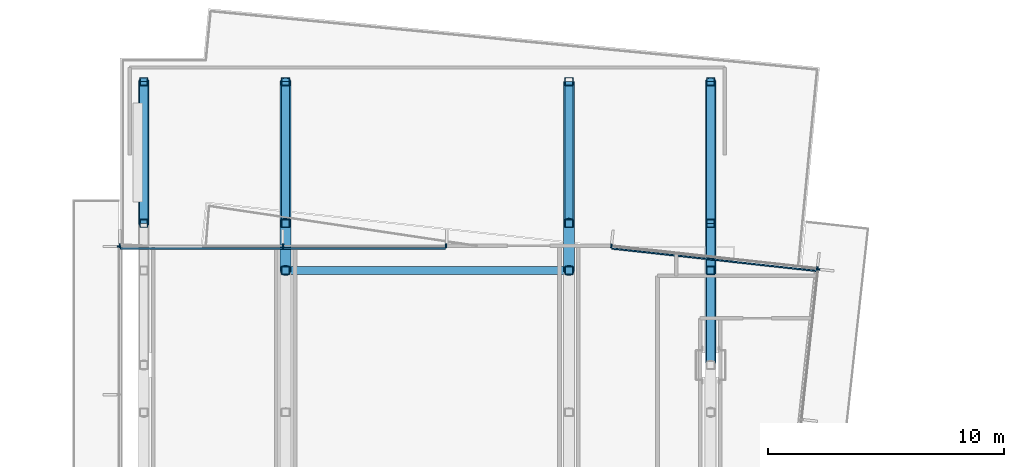
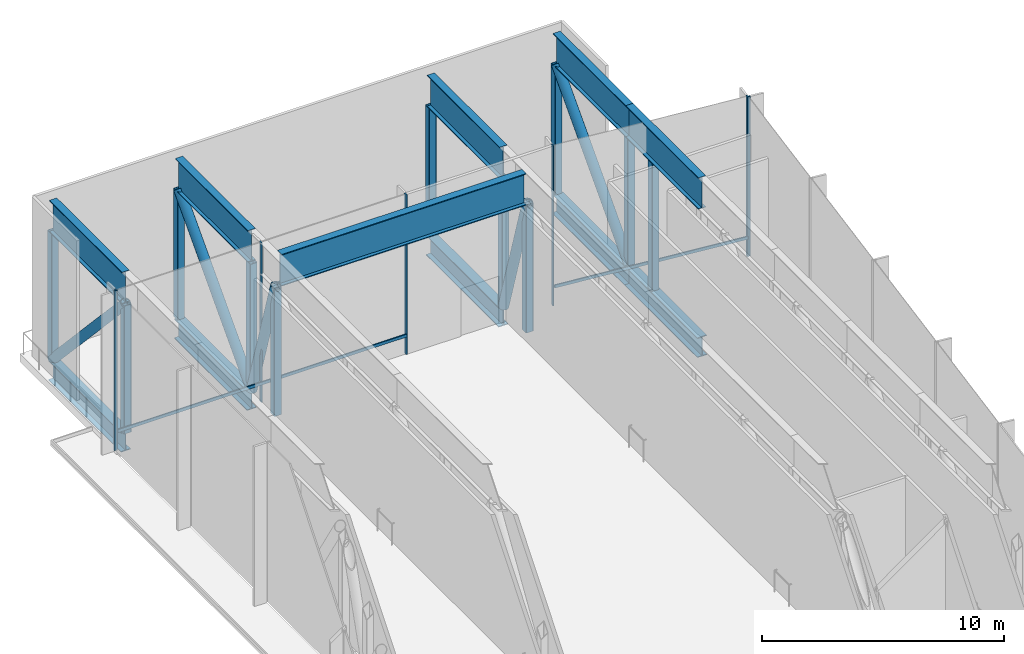
# One storey, part 10 of 24: 35 members, 1 beam, 4 elements without a shape of their own.
"""IFC4 building model written with IfcOpenShell, lengths in metres."""

from ifc_helpers import new_model, si_unit, direction, frame, origin, origin_2d, place, context, subcontext, project, spatial, rectangle, hollow_rectangle, hollow_circle, i_section, extrude, material, layer, layer_set, material_profile, profile_set, type_object, element, aggregate, save


model = new_model("IFC4")

# Units and contexts
model_context = context("Model", 3, precision=1e-05, world=origin(), true_north=direction((0.0, 1.0)))
body_context = subcontext(model_context, "Body", "Model", "MODEL_VIEW")
ifc_project = project(units=[si_unit("LENGTHUNIT", "METRE"), si_unit("AREAUNIT", "SQUARE_METRE"), si_unit("VOLUMEUNIT", "CUBIC_METRE"), si_unit("PLANEANGLEUNIT", "RADIAN"), si_unit("MASSUNIT", "GRAM", prefix="KILO")], contexts=[model_context])

# Site, building, storey
site_placement = place(None, origin())
site = spatial("IfcSite", under=ifc_project, at=site_placement, CompositionType="ELEMENT")
building_placement = place(site_placement, origin())
building = spatial("IfcBuilding", under=site, at=building_placement, Name="Welwitschia Terrace Campus", CompositionType="ELEMENT")
storey_placement = place(building_placement, frame((0.0, 0.0, 138.199951171875)))
storey = spatial("IfcBuildingStorey", under=building, at=storey_placement, Name="L31", CompositionType="ELEMENT", Elevation=138.199951171875)

# Curtain wall, member
ifc_material_1 = material(Name="Bronze anodised aluminium", Category="aluminium")
ifc_layer = layer(ifc_material_1, 0.159912109375)
ifc_layer_set = layer_set([ifc_layer], Name="Bronze anodised aluminium")
curtain_wall_type = type_object("IfcCurtainWallType", Name="Curtain wall CW3 commons 6000", PredefinedType="NOTDEFINED", material=ifc_layer_set)
curtain_wall_1_placement = place(storey_placement, origin())
curtain_wall_1 = element("IfcCurtainWall", 1, at=curtain_wall_1_placement, inside=storey, type_object=curtain_wall_type, Name="CW L31.10.0", PredefinedType="NOTDEFINED")
ifc_material_2 = material(Name="Bronze anodised aluminium", Category="aluminium")
ifc_material_profile_1 = material_profile(ifc_material_2, rectangle(XDim=0.159912109375, YDim=0.06005859375, at=origin_2d()))
ifc_profile_set_1 = profile_set([ifc_material_profile_1], Name="Bronze anodised aluminium")
member_type_1 = type_object("IfcMemberType", Name="Mullion 60x160", PredefinedType="MULLION", material=ifc_profile_set_1)
member_1_placement = place(storey_placement, frame((28.54736328125, 62.05810546875, 0.0), z_axis=(0.0, 0.0, 1.0), x_axis=(-0.994056338222, 0.108866874852, 0.0)))
member_1 = element("IfcMember", 2, at=member_1_placement, type_object=member_type_1, Name="Mullion L31.10.0.5", PredefinedType="MULLION", context=body_context, shape_type="SweptSolid", body=[
    extrude(rectangle(XDim=0.159912109375, YDim=0.06005859375, at=origin_2d()), origin(), (0.0, 0.0, 1.0), 8.050048828125),
])
aggregate(curtain_wall_1, [member_1])

# Curtain wall, members
curtain_wall_2_placement = place(storey_placement, origin())
curtain_wall_2 = element("IfcCurtainWall", 3, at=curtain_wall_2_placement, inside=storey, type_object=curtain_wall_type, Name="CW L31.11.0", PredefinedType="NOTDEFINED")
member_2_placement = place(storey_placement, frame((28.520751953125, 62.091064453125, 0.0), z_axis=(0.0, 0.0, 1.0), x_axis=(-0.108866874852, -0.994056338222, 0.0)))
member_2 = element("IfcMember", 4, at=member_2_placement, type_object=member_type_1, Name="Mullion L31.11.0.0", PredefinedType="MULLION", context=body_context, shape_type="SweptSolid", body=[
    extrude(rectangle(XDim=0.159912109375, YDim=0.06005859375, at=origin_2d()), origin(), (0.0, 0.0, 1.0), 8.050048828125),
])
member_3_placement = place(storey_placement, frame((19.79541015625, 63.046630859375, 0.0), z_axis=(0.0, 0.0, 1.0), x_axis=(-0.108866874852, -0.994056338222, 0.0)))
member_3 = element("IfcMember", 5, at=member_3_placement, type_object=member_type_1, Name="Mullion L31.11.0.1", PredefinedType="MULLION", context=body_context, shape_type="SweptSolid", body=[
    extrude(rectangle(XDim=0.159912109375, YDim=0.06005859375, at=origin_2d()), origin(), (0.0, 0.0, 1.0), 8.050048828125),
])

curtain_wall_3_placement = place(storey_placement, origin())
curtain_wall_3 = element("IfcCurtainWall", 6, at=curtain_wall_3_placement, inside=storey, type_object=curtain_wall_type, Name="CW L31.12.1", PredefinedType="NOTDEFINED")
member_4_placement = place(storey_placement, frame((12.797119140625, 63.050048828125, 0.0), z_axis=(0.0, 0.0, 1.0), x_axis=(0.0, -1.0, 0.0)))
member_4 = element("IfcMember", 7, at=member_4_placement, type_object=member_type_1, Name="Mullion L31.12.1.0", PredefinedType="MULLION", context=body_context, shape_type="SweptSolid", body=[
    extrude(rectangle(XDim=0.159912109375, YDim=0.06005859375, at=origin_2d()), origin(), (0.0, 0.0, 1.0), 8.050048828125),
])
member_5_placement = place(storey_placement, frame((5.888671875, 63.050048828125, 0.0), z_axis=(0.0, 0.0, 1.0), x_axis=(0.0, -1.0, 0.0)))
member_5 = element("IfcMember", 8, at=member_5_placement, type_object=member_type_1, Name="Mullion L31.12.1.1", PredefinedType="MULLION", context=body_context, shape_type="SweptSolid", body=[
    extrude(rectangle(XDim=0.159912109375, YDim=0.06005859375, at=origin_2d()), origin(), (0.0, 0.0, 1.0), 8.050048828125),
])
member_6_placement = place(storey_placement, frame((-1.02001953125, 63.050048828125, 0.0), z_axis=(0.0, 0.0, 1.0), x_axis=(0.0, -1.0, 0.0)))
member_6 = element("IfcMember", 9, at=member_6_placement, type_object=member_type_1, Name="Mullion L31.12.1.2", PredefinedType="MULLION", context=body_context, shape_type="SweptSolid", body=[
    extrude(rectangle(XDim=0.159912109375, YDim=0.06005859375, at=origin_2d()), origin(), (0.0, 0.0, 1.0), 8.050048828125),
])

# Curtain wall, member
curtain_wall_4_placement = place(storey_placement, origin())
curtain_wall_4 = element("IfcCurtainWall", 10, at=curtain_wall_4_placement, inside=storey, type_object=curtain_wall_type, Name="CW L31.13.0", PredefinedType="NOTDEFINED")
member_7_placement = place(storey_placement, frame((-1.050048828125, 63.02001953125, 0.0), z_axis=(0.0, 0.0, 1.0), x_axis=(1.0, 0.0, 0.0)))
member_7 = element("IfcMember", 11, at=member_7_placement, type_object=member_type_1, Name="Mullion L31.13.0.0", PredefinedType="MULLION", context=body_context, shape_type="SweptSolid", body=[
    extrude(rectangle(XDim=0.159912109375, YDim=0.06005859375, at=origin_2d()), origin(), (0.0, 0.0, 1.0), 8.050048828125),
])
aggregate(curtain_wall_4, [member_7])

# Beam
ifc_material_3 = material(Name="Steel S355", Category="steel")
ifc_material_profile_2 = material_profile(ifc_material_3, i_section(OverallWidth=0.35009765625, OverallDepth=1.60009765625, WebThickness=0.030029296875, FlangeThickness=0.0400390625, at=origin_2d()))
ifc_profile_set_2 = profile_set([ifc_material_profile_2], Name="Steel S355")
beam_type = type_object("IfcBeamType", Name="Tip edge girder C2 top WI 1600x350x30x40", PredefinedType="BEAM", material=ifc_profile_set_2)
beam_placement = place(storey_placement, frame((6.175048828125, 62.0, 7.25), z_axis=(1.0, 0.0, 0.0), x_axis=(0.0, 1.0, 0.0)))
element("IfcBeam", 12, at=beam_placement, inside=storey, type_object=beam_type, Name="Tip edge girder", PredefinedType="BEAM", context=body_context, shape_type="SweptSolid", body=[
    extrude(i_section(OverallWidth=0.35009765625, OverallDepth=1.60009765625, WebThickness=0.030029296875, FlangeThickness=0.0400390625, at=origin_2d()), origin(), (0.0, 0.0, 1.0), 11.64990234375),
])

# Members
ifc_material_4 = material(Name="Steel S355", Category="steel")
ifc_material_profile_3 = material_profile(ifc_material_4, i_section(OverallWidth=0.449951171875, OverallDepth=1.0, WebThickness=0.030029296875, FlangeThickness=0.0400390625, at=origin_2d()))
ifc_profile_set_3 = profile_set([ifc_material_profile_3], Name="Steel S355")
member_type_2 = type_object("IfcMemberType", Name="Transfer truss C2 bottom chord WI 1000x450x30x40", PredefinedType="CHORD", material=ifc_profile_set_3)
for number, where, z_axis, x_axis, name in (
    (13, (0.0, 64.0, -0.5), (0.0, 1.0, 0.0), (-1.0, 0.0, 0.0), "Truss bottom chord"),
    (14, (6.0, 64.0, -0.5), (0.0, 1.0, 0.0), (-1.0, 0.0, 0.0), "Truss bottom chord"),
    (15, (18.0, 64.0, -0.5), (0.0, 1.0, 0.0), (-1.0, 0.0, 0.0), "Truss bottom chord"),
    (16, (24.0, 58.0, -0.5), (0.0, 1.0, 0.0), (-1.0, 0.0, 0.0), "Truss bottom chord"),
    (17, (24.0, 64.0, -0.5), (0.0, 1.0, 0.0), (-1.0, 0.0, 0.0), "Truss bottom chord"),
):
    element("IfcMember", number, at=place(storey_placement, frame(where, z_axis=z_axis, x_axis=x_axis)), inside=storey, type_object=member_type_2, Name=name, PredefinedType="CHORD", context=body_context, shape_type="SweptSolid", body=[
        extrude(i_section(OverallWidth=0.449951171875, OverallDepth=1.0, WebThickness=0.030029296875, FlangeThickness=0.0400390625, at=origin_2d()), origin(), (0.0, 0.0, 1.0), 6.0),
    ])
ifc_material_5 = material(Name="Steel S355", Category="steel")
ifc_material_profile_4 = material_profile(ifc_material_5, hollow_circle(Radius=0.228515625, WallThickness=0.02001953125, at=origin_2d()))
ifc_profile_set_4 = profile_set([ifc_material_profile_4], Name="Steel S355")
member_type_3 = type_object("IfcMemberType", Name="Transfer truss C2 diagonal CHS 457x20", PredefinedType="BRACE", material=ifc_profile_set_4)
member_8_placement = place(storey_placement, frame((0.0, 70.0, 0.0), z_axis=(0.0, -0.681106706671, 0.732184166811), x_axis=(1.0, 0.0, 0.0)))
element("IfcMember", 18, at=member_8_placement, inside=storey, type_object=member_type_3, Name="Truss diagonal", PredefinedType="BRACE", context=body_context, shape_type="SweptSolid", body=[
    extrude(hollow_circle(Radius=0.228515625, WallThickness=0.02001953125, at=origin_2d()), origin(), (0.0, 0.0, 1.0), 8.80908203125),
])
member_9_placement = place(storey_placement, frame((6.0, 64.0, 0.0), z_axis=(0.0, -0.296168365803, 0.955135749042), x_axis=(1.0, 0.0, 0.0)))
element("IfcMember", 19, at=member_9_placement, inside=storey, type_object=member_type_3, Name="Truss diagonal", PredefinedType="BRACE", context=body_context, shape_type="SweptSolid", body=[
    extrude(hollow_circle(Radius=0.228515625, WallThickness=0.02001953125, at=origin_2d()), origin(), (0.0, 0.0, 1.0), 6.7529296875),
])
member_10_placement = place(storey_placement, frame((6.0, 64.0, 0.0), z_axis=(0.0, 0.681106706671, 0.732184166811), x_axis=(-1.0, 0.0, 0.0)))
element("IfcMember", 20, at=member_10_placement, inside=storey, type_object=member_type_3, Name="Truss diagonal", PredefinedType="BRACE", context=body_context, shape_type="SweptSolid", body=[
    extrude(hollow_circle(Radius=0.228515625, WallThickness=0.02001953125, at=origin_2d()), origin(), (0.0, 0.0, 1.0), 8.80908203125),
])
member_11_placement = place(storey_placement, frame((18.0, 64.0, 0.0), z_axis=(0.0, -0.296168365803, 0.955135749042), x_axis=(1.0, 0.0, 0.0)))
element("IfcMember", 21, at=member_11_placement, inside=storey, type_object=member_type_3, Name="Truss diagonal", PredefinedType="BRACE", context=body_context, shape_type="SweptSolid", body=[
    extrude(hollow_circle(Radius=0.228515625, WallThickness=0.02001953125, at=origin_2d()), origin(), (0.0, 0.0, 1.0), 6.7529296875),
])
member_12_placement = place(storey_placement, frame((24.0, 64.0, 0.0), z_axis=(0.0, 0.681106706671, 0.732184166811), x_axis=(-1.0, 0.0, 0.0)))
element("IfcMember", 22, at=member_12_placement, inside=storey, type_object=member_type_3, Name="Truss diagonal", PredefinedType="BRACE", context=body_context, shape_type="SweptSolid", body=[
    extrude(hollow_circle(Radius=0.228515625, WallThickness=0.02001953125, at=origin_2d()), origin(), (0.0, 0.0, 1.0), 8.80908203125),
])
ifc_material_6 = material(Name="Steel S355", Category="steel")
ifc_material_profile_5 = material_profile(ifc_material_6, hollow_rectangle(XDim=0.35009765625, YDim=0.35009765625, WallThickness=0.02001953125, InnerFilletRadius=0.02001953125, OuterFilletRadius=0.030029296875, at=origin_2d()))
ifc_profile_set_5 = profile_set([ifc_material_profile_5], Name="Steel S355")
member_type_4 = type_object("IfcMemberType", Name="Transfer truss C2 post SHS 350x350x20", PredefinedType="POST", material=ifc_profile_set_5)
for number, where, z_axis, x_axis, name in (
    (23, (0.0, 64.0, 0.0), (0.0, 0.0, 1.0), (1.0, 0.0, 0.0), "Truss post"),
    (24, (0.0, 70.0, 0.0), (0.0, 0.0, 1.0), (1.0, 0.0, 0.0), "Truss post"),
    (25, (6.0, 62.0, 0.0), (0.0, 0.0, 1.0), (1.0, 0.0, 0.0), "Truss post"),
    (26, (6.0, 64.0, 0.0), (0.0, 0.0, 1.0), (1.0, 0.0, 0.0), "Truss post"),
    (27, (6.0, 70.0, 0.0), (0.0, 0.0, 1.0), (1.0, 0.0, 0.0), "Truss post"),
    (28, (18.0, 62.0, 0.0), (0.0, 0.0, 1.0), (1.0, 0.0, 0.0), "Truss post"),
    (29, (18.0, 64.0, 0.0), (0.0, 0.0, 1.0), (1.0, 0.0, 0.0), "Truss post"),
    (30, (18.0, 70.0, 0.0), (0.0, 0.0, 1.0), (1.0, 0.0, 0.0), "Truss post"),
    (31, (24.0, 62.0, 0.0), (0.0, 0.0, 1.0), (1.0, 0.0, 0.0), "Truss post"),
    (32, (24.0, 64.0, 0.0), (0.0, 0.0, 1.0), (1.0, 0.0, 0.0), "Truss post"),
    (33, (24.0, 70.0, 0.0), (0.0, 0.0, 1.0), (1.0, 0.0, 0.0), "Truss post"),
):
    element("IfcMember", number, at=place(storey_placement, frame(where, z_axis=z_axis, x_axis=x_axis)), inside=storey, type_object=member_type_4, Name=name, PredefinedType="POST", context=body_context, shape_type="SweptSolid", body=[
        extrude(hollow_rectangle(XDim=0.35009765625, YDim=0.35009765625, WallThickness=0.02001953125, InnerFilletRadius=0.02001953125, OuterFilletRadius=0.030029296875, at=origin_2d()), origin(), (0.0, 0.0, 1.0), 6.449951171875),
    ])
ifc_material_7 = material(Name="Steel S355", Category="steel")
ifc_material_profile_6 = material_profile(ifc_material_7, i_section(OverallWidth=0.35009765625, OverallDepth=1.60009765625, WebThickness=0.030029296875, FlangeThickness=0.0400390625, at=origin_2d()))
ifc_profile_set_6 = profile_set([ifc_material_profile_6], Name="Steel S355")
member_type_5 = type_object("IfcMemberType", Name="Transfer truss C2 top chord WI 1600x350x30x40", PredefinedType="CHORD", material=ifc_profile_set_6)
for number, where, z_axis, x_axis, name in (
    (34, (0.0, 64.0, 7.25), (0.0, 1.0, 0.0), (-1.0, 0.0, 0.0), "Truss top chord"),
    (35, (6.0, 64.0, 7.25), (0.0, 1.0, 0.0), (-1.0, 0.0, 0.0), "Truss top chord"),
    (36, (18.0, 64.0, 7.25), (0.0, 1.0, 0.0), (-1.0, 0.0, 0.0), "Truss top chord"),
    (37, (24.0, 58.0, 7.25), (0.0, 1.0, 0.0), (-1.0, 0.0, 0.0), "Truss top chord"),
    (38, (24.0, 64.0, 7.25), (0.0, 1.0, 0.0), (-1.0, 0.0, 0.0), "Truss top chord"),
):
    element("IfcMember", number, at=place(storey_placement, frame(where, z_axis=z_axis, x_axis=x_axis)), inside=storey, type_object=member_type_5, Name=name, PredefinedType="CHORD", context=body_context, shape_type="SweptSolid", body=[
        extrude(i_section(OverallWidth=0.35009765625, OverallDepth=1.60009765625, WebThickness=0.030029296875, FlangeThickness=0.0400390625, at=origin_2d()), origin(), (0.0, 0.0, 1.0), 6.0),
    ])

# Member
ifc_material_8 = material(Name="Bronze anodised aluminium", Category="aluminium")
ifc_material_profile_7 = material_profile(ifc_material_8, rectangle(XDim=0.06005859375, YDim=0.14990234375, at=origin_2d()))
ifc_profile_set_7 = profile_set([ifc_material_profile_7], Name="Bronze anodised aluminium")
member_type_6 = type_object("IfcMemberType", Name="Transom 60x150", PredefinedType="USERDEFINED", material=ifc_profile_set_7)
member_13_placement = place(storey_placement, frame((28.47900390625, 61.985107421875, 1.0), z_axis=(-0.994057020772, 0.108860642355, 0.0), x_axis=(-0.108860642355, -0.994057020772, 0.0)))
member_13 = element("IfcMember", 39, at=member_13_placement, type_object=member_type_6, Name="Transom L31.11.0", ObjectType="TRANSOM", PredefinedType="USERDEFINED", context=body_context, shape_type="SweptSolid", body=[
    extrude(rectangle(XDim=0.06005859375, YDim=0.14990234375, at=origin_2d()), origin(), (0.0, 0.0, 1.0), 8.71728515625),
])

aggregate(curtain_wall_2, [member_2, member_3, member_13])

member_14_placement = place(storey_placement, frame((12.76708984375, 62.93994140625, 1.0), z_axis=(-1.0, 0.0, 0.0), x_axis=(0.0, -1.0, 0.0)))
member_14 = element("IfcMember", 40, at=member_14_placement, type_object=member_type_6, Name="Transom L31.12.1", ObjectType="TRANSOM", PredefinedType="USERDEFINED", context=body_context, shape_type="SweptSolid", body=[
    extrude(rectangle(XDim=0.06005859375, YDim=0.14990234375, at=origin_2d()), origin(), (0.0, 0.0, 1.0), 13.757080078125),
])

aggregate(curtain_wall_3, [member_4, member_5, member_6, member_14])

save(model, "model.ifc")
